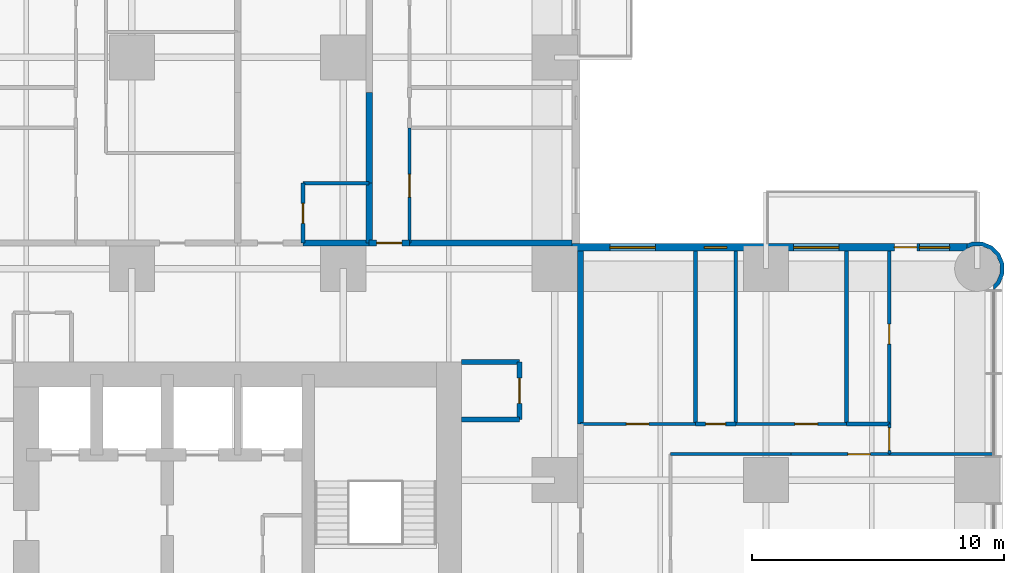
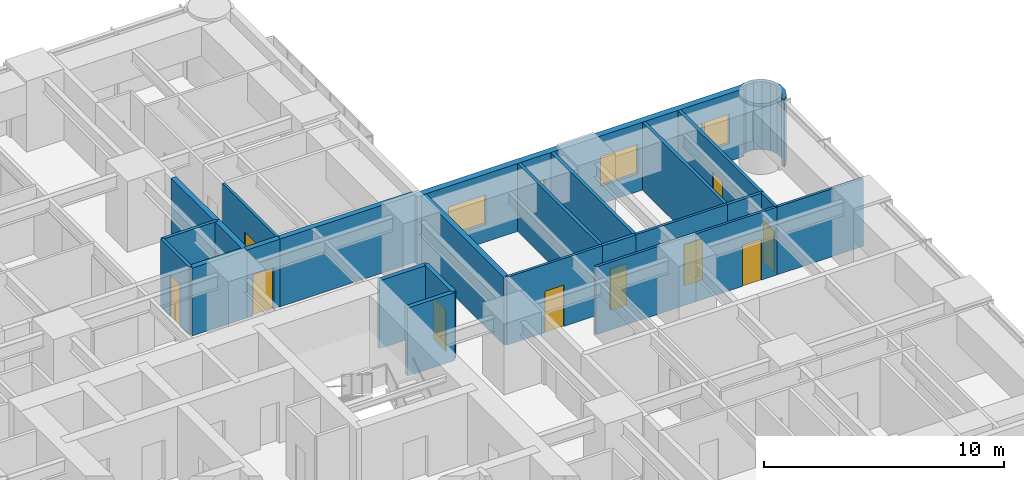
# One storey, part 14 of 17: 26 walls, 11 doors, 4 windows, 15 openings.
"""IFC4 building model written with IfcOpenShell, lengths in metres."""

from ifc_helpers import new_model, si_unit, direction, frame, frame_2d, origin, place, context, subcontext, project, spatial, polyline, rectangle, outline, extrude, material, layer, layer_set, type_object, element, fill, save


model = new_model("IFC4")

# Units and contexts
model_context = context("Model", 3, precision=1e-05, world=origin(), true_north=direction((0.0, 1.0)))
body_context = subcontext(model_context, "Body", "Model", "MODEL_VIEW")
ifc_project = project(units=[si_unit("LENGTHUNIT", "METRE"), si_unit("AREAUNIT", "SQUARE_METRE"), si_unit("VOLUMEUNIT", "CUBIC_METRE"), si_unit("PLANEANGLEUNIT", "RADIAN"), si_unit("MASSUNIT", "GRAM", prefix="KILO")], contexts=[model_context])

# Site, building, storey
site_placement = place(None, origin())
site = spatial("IfcSite", under=ifc_project, at=site_placement, CompositionType="ELEMENT")
building_placement = place(site_placement, origin())
building = spatial("IfcBuilding", under=site, at=building_placement, Name="Torre Alcanfor", CompositionType="ELEMENT")
storey_placement = place(building_placement, frame((0.0, 0.0, 66.89990234375)))
storey = spatial("IfcBuildingStorey", under=building, at=storey_placement, Name="L16", CompositionType="ELEMENT", Elevation=66.89990234375)

# Wall
ifc_material_1 = material(Name="Concrete block masonry, hollow blocks NMX-C-404 9 MPa", Category="masonry")
ifc_layer_1 = layer(ifc_material_1, 0.25)
ifc_layer_set_1 = layer_set([ifc_layer_1], Name="Apartment entrance wall 250 EI 60")
wall_type_1 = type_object("IfcWallType", Name="Apartment entrance wall 250 EI 60", PredefinedType="PARTITIONING", material=ifc_layer_set_1)
wall_1_placement = place(storey_placement, frame((32.0, 43.02490234375, 0.0), z_axis=(0.0, 0.0, 1.0), x_axis=(1.0, 0.0, 0.0)))
element("IfcWall", 1, at=wall_1_placement, inside=storey, type_object=wall_type_1, Name="Partition L16-CORR / L16-N2A-BATH", PredefinedType="PARTITIONING", context=body_context, shape_type="SweptSolid", body=[
    extrude(rectangle(XDim=2.62890625, YDim=0.25, at=frame_2d((1.314453125, 0.0))), origin(), (0.0, 0.0, 1.0), 3.4501953125),
])

# Wall, opening, door
wall_2_placement = place(storey_placement, frame((34.62890625, 43.02490234375, 0.0), z_axis=(0.0, 0.0, 1.0), x_axis=(1.0, 0.0, 0.0)))
wall_2 = element("IfcWall", 2, at=wall_2_placement, inside=storey, type_object=wall_type_1, Name="Partition L16-CORR / L16-N2B-HALL", PredefinedType="PARTITIONING", context=body_context, shape_type="SweptSolid", body=[
    extrude(rectangle(XDim=1.60009765625, YDim=0.25, at=frame_2d((0.800048828125, 0.0))), origin(), (0.0, 0.0, 1.0), 3.4501953125),
])
opening_1_placement = place(wall_2_placement, frame((0.300048828125, 0.0, 0.0)))
opening_1 = element("IfcOpeningElement", 3, at=opening_1_placement, cuts=wall_2, Name="Opening D-A1", PredefinedType="OPENING", context=body_context, shape_type="SweptSolid", body=[
    extrude(rectangle(XDim=1.0, YDim=2.10009765625, at=frame_2d((0.5, 1.050048828125))), frame((0.0, 0.135009765625, 0.0), z_axis=(0.0, -1.0, 0.0), x_axis=(1.0, 0.0, 0.0)), (0.0, 0.0, 1.0), 0.27001953125),
])
ifc_material_2 = material(Name="Galvanised steel sheet ASTM A653", Category="steel")
door_type_1 = type_object("IfcDoorType", Name="Apartment entrance door FD60 1000x2100", OperationType="SINGLE_SWING_LEFT", PredefinedType="DOOR", material=ifc_material_2)
door_1_placement = place(opening_1_placement, origin())
door_1 = element("IfcDoor", 4, at=door_1_placement, inside=storey, type_object=door_type_1, Name="Apartment entrance L16-N2B", OperationType="SINGLE_SWING_LEFT", OverallHeight=2.10009765625, OverallWidth=1.0, PredefinedType="DOOR", context=body_context, shape_type="SweptSolid", body=[
    extrude(rectangle(XDim=1.0, YDim=2.10009765625, at=frame_2d((0.5, 1.050048828125))), frame((0.0, 0.02490234375, 0.0), z_axis=(0.0, -1.0, 0.0), x_axis=(1.0, 0.0, 0.0)), (0.0, 0.0, 1.0), 0.050048828125),
])
fill(opening_1, door_1)

# Walls
wall_3_placement = place(storey_placement, frame((36.22900390625, 43.02490234375, 0.0), z_axis=(0.0, 0.0, 1.0), x_axis=(1.0, 0.0, 0.0)))
element("IfcWall", 5, at=wall_3_placement, inside=storey, type_object=wall_type_1, Name="Partition L16-CORR / L16-N2B-BED2", PredefinedType="PARTITIONING", context=body_context, shape_type="SweptSolid", body=[
    extrude(rectangle(XDim=6.470947265625, YDim=0.25, at=frame_2d((3.2353515625, 0.0))), origin(), (0.0, 0.0, 1.0), 3.4501953125),
])
wall_4_placement = place(storey_placement, frame((43.02490234375, 42.699951171875, 0.0), z_axis=(0.0, 0.0, 1.0), x_axis=(0.0, -1.0, 0.0)))
element("IfcWall", 6, at=wall_4_placement, inside=storey, type_object=wall_type_1, Name="Partition L16-CORR / L16-E1-BED3", PredefinedType="PARTITIONING", context=body_context, shape_type="SweptSolid", body=[
    extrude(rectangle(XDim=6.870849609375, YDim=0.25, at=frame_2d((3.435546875, 0.0))), origin(), (0.0, 0.0, 1.0), 3.4501953125),
])

# Wall, opening, door
ifc_material_3 = material(Name="Gypsum board on steel studs", Category="steel")
ifc_layer_2 = layer(ifc_material_3, 0.1201171875)
ifc_layer_set_2 = layer_set([ifc_layer_2], Name="Apartment partition 120")
wall_type_2 = type_object("IfcWallType", Name="Apartment partition 120", PredefinedType="PARTITIONING", material=ifc_layer_set_2)
wall_5_placement = place(storey_placement, frame((36.22900390625, 47.60009765625, 0.0), z_axis=(0.0, 0.0, 1.0), x_axis=(0.0, -1.0, 0.0)))
wall_5 = element("IfcWall", 7, at=wall_5_placement, inside=storey, type_object=wall_type_2, Name="Partition L16-N2B-HALL / L16-N2B-BED2", PredefinedType="PARTITIONING", context=body_context, shape_type="SweptSolid", body=[
    extrude(rectangle(XDim=4.5751953125, YDim=0.1201171875, at=frame_2d((2.28759765625, 0.0))), origin(), (0.0, 0.0, 1.0), 3.4501953125),
])
opening_2_placement = place(wall_5_placement, frame((1.85009765625, 0.0, 0.0)))
opening_2 = element("IfcOpeningElement", 8, at=opening_2_placement, cuts=wall_5, Name="Opening D-R1", PredefinedType="OPENING", context=body_context, shape_type="SweptSolid", body=[
    extrude(rectangle(XDim=0.89990234375, YDim=2.10009765625, at=frame_2d((0.449951171875, 1.050048828125))), frame((0.0, 0.070068359375, 0.0), z_axis=(0.0, -1.0, 0.0), x_axis=(1.0, 0.0, 0.0)), (0.0, 0.0, 1.0), 0.14013671875),
])
ifc_material_4 = material(Name="Timber", Category="wood")
door_type_2 = type_object("IfcDoorType", Name="Internal door 900x2100", OperationType="SINGLE_SWING_LEFT", PredefinedType="DOOR", material=ifc_material_4)
door_2_placement = place(opening_2_placement, origin())
door_2 = element("IfcDoor", 9, at=door_2_placement, inside=storey, type_object=door_type_2, Name="Door L16-N2B bed2", OperationType="SINGLE_SWING_RIGHT", OverallHeight=2.10009765625, OverallWidth=0.89990234375, PredefinedType="DOOR", context=body_context, shape_type="SweptSolid", body=[
    extrude(rectangle(XDim=0.89990234375, YDim=2.10009765625, at=frame_2d((0.449951171875, 1.050048828125))), frame((0.0, 0.02490234375, 0.0), z_axis=(0.0, -1.0, 0.0), x_axis=(1.0, 0.0, 0.0)), (0.0, 0.0, 1.0), 0.050048828125),
])
fill(opening_2, door_2)

# Wall
wall_6_placement = place(storey_placement, frame((51.39990234375, 34.62890625, 0.0), z_axis=(0.0, 0.0, 1.0), x_axis=(-1.0, 0.0, 0.0)))
element("IfcWall", 10, at=wall_6_placement, inside=storey, type_object=wall_type_2, Name="Partition L16-E1-KITCHEN / L16-E1-HALL", PredefinedType="PARTITIONING", context=body_context, shape_type="SweptSolid", body=[
    extrude(rectangle(XDim=4.7998046875, YDim=0.1201171875, at=frame_2d((2.39990234375, 0.0))), origin(), (0.0, 0.0, 1.0), 3.4501953125),
])

# Wall, opening, door
wall_7_placement = place(storey_placement, frame((55.300048828125, 34.62890625, 0.0), z_axis=(0.0, 0.0, 1.0), x_axis=(-1.0, 0.0, 0.0)))
wall_7 = element("IfcWall", 11, at=wall_7_placement, inside=storey, type_object=wall_type_2, Name="Partition L16-E1-LIVING / L16-E1-HALL", PredefinedType="PARTITIONING", context=body_context, shape_type="SweptSolid", body=[
    extrude(rectangle(XDim=3.900146484375, YDim=0.1201171875, at=frame_2d((1.9501953125, 0.0))), origin(), (0.0, 0.0, 1.0), 3.4501953125),
])
opening_3_placement = place(wall_7_placement, frame((0.75, 0.0, 0.0)))
opening_3 = element("IfcOpeningElement", 12, at=opening_3_placement, cuts=wall_7, Name="Opening D-R1", PredefinedType="OPENING", context=body_context, shape_type="SweptSolid", body=[
    extrude(rectangle(XDim=0.89990234375, YDim=2.10009765625, at=frame_2d((0.449951171875, 1.050048828125))), frame((0.0, 0.070068359375, 0.0), z_axis=(0.0, -1.0, 0.0), x_axis=(1.0, 0.0, 0.0)), (0.0, 0.0, 1.0), 0.14013671875),
])
door_3_placement = place(opening_3_placement, origin())
door_3 = element("IfcDoor", 13, at=door_3_placement, inside=storey, type_object=door_type_2, Name="Door L16-E1 living", OperationType="SINGLE_SWING_RIGHT", OverallHeight=2.10009765625, OverallWidth=0.89990234375, PredefinedType="DOOR", context=body_context, shape_type="SweptSolid", body=[
    extrude(rectangle(XDim=0.89990234375, YDim=2.10009765625, at=frame_2d((0.449951171875, 1.050048828125))), frame((0.0, 0.02490234375, 0.0), z_axis=(0.0, -1.0, 0.0), x_axis=(1.0, 0.0, 0.0)), (0.0, 0.0, 1.0), 0.050048828125),
])
fill(opening_3, door_3)

# Wall
wall_8_placement = place(storey_placement, frame((59.449951171875, 34.62890625, 0.0), z_axis=(0.0, 0.0, 1.0), x_axis=(-1.0, 0.0, 0.0)))
element("IfcWall", 14, at=wall_8_placement, inside=storey, type_object=wall_type_2, Name="Partition L16-E1-LIVING / L16-E1-MASTER", PredefinedType="PARTITIONING", context=body_context, shape_type="SweptSolid", body=[
    extrude(rectangle(XDim=4.14990234375, YDim=0.1201171875, at=frame_2d((2.074951171875, 0.0))), origin(), (0.0, 0.0, 1.0), 3.4501953125),
])

# Wall, opening, door
wall_9_placement = place(storey_placement, frame((47.60009765625, 35.8291015625, 0.0), z_axis=(0.0, 0.0, 1.0), x_axis=(-1.0, 0.0, 0.0)))
wall_9 = element("IfcWall", 15, at=wall_9_placement, inside=storey, type_object=wall_type_2, Name="Partition L16-E1-HALL / L16-E1-BED3", PredefinedType="PARTITIONING", context=body_context, shape_type="SweptSolid", body=[
    extrude(rectangle(XDim=4.5751953125, YDim=0.1201171875, at=frame_2d((2.28759765625, 0.0))), origin(), (0.0, 0.0, 1.0), 3.4501953125),
])
opening_4_placement = place(wall_9_placement, frame((1.85009765625, 0.0, 0.0)))
opening_4 = element("IfcOpeningElement", 16, at=opening_4_placement, cuts=wall_9, Name="Opening D-R1", PredefinedType="OPENING", context=body_context, shape_type="SweptSolid", body=[
    extrude(rectangle(XDim=0.89990234375, YDim=2.10009765625, at=frame_2d((0.449951171875, 1.050048828125))), frame((0.0, 0.070068359375, 0.0), z_axis=(0.0, -1.0, 0.0), x_axis=(1.0, 0.0, 0.0)), (0.0, 0.0, 1.0), 0.14013671875),
])
door_4_placement = place(opening_4_placement, frame((0.89990234375, 0.0, 0.0), z_axis=(0.0, 0.0, 1.0), x_axis=(-1.0, 0.0, 0.0)))
door_4 = element("IfcDoor", 17, at=door_4_placement, inside=storey, type_object=door_type_2, Name="Door L16-E1 bed3", OperationType="SINGLE_SWING_LEFT", OverallHeight=2.10009765625, OverallWidth=0.89990234375, PredefinedType="DOOR", context=body_context, shape_type="SweptSolid", body=[
    extrude(rectangle(XDim=0.89990234375, YDim=2.10009765625, at=frame_2d((0.449951171875, 1.050048828125))), frame((0.0, 0.025146484375, 0.0), z_axis=(0.0, -1.0, 0.0), x_axis=(1.0, 0.0, 0.0)), (0.0, 0.0, 1.0), 0.050048828125),
])
fill(opening_4, door_4)

wall_10_placement = place(storey_placement, frame((53.60009765625, 35.8291015625, 0.0), z_axis=(0.0, 0.0, 1.0), x_axis=(-1.0, 0.0, 0.0)))
wall_10 = element("IfcWall", 18, at=wall_10_placement, inside=storey, type_object=wall_type_2, Name="Partition L16-E1-HALL / L16-E1-BED2", PredefinedType="PARTITIONING", context=body_context, shape_type="SweptSolid", body=[
    extrude(rectangle(XDim=4.400146484375, YDim=0.1201171875, at=frame_2d((2.2001953125, 0.0))), origin(), (0.0, 0.0, 1.0), 3.4501953125),
])
opening_5_placement = place(wall_10_placement, frame((1.14990234375, 0.0, 0.0)))
opening_5 = element("IfcOpeningElement", 19, at=opening_5_placement, cuts=wall_10, Name="Opening D-R1", PredefinedType="OPENING", context=body_context, shape_type="SweptSolid", body=[
    extrude(rectangle(XDim=0.89990234375, YDim=2.10009765625, at=frame_2d((0.449951171875, 1.050048828125))), frame((0.0, 0.070068359375, 0.0), z_axis=(0.0, -1.0, 0.0), x_axis=(1.0, 0.0, 0.0)), (0.0, 0.0, 1.0), 0.14013671875),
])
door_5_placement = place(opening_5_placement, frame((0.89990234375, 0.0, 0.0), z_axis=(0.0, 0.0, 1.0), x_axis=(-1.0, 0.0, 0.0)))
door_5 = element("IfcDoor", 20, at=door_5_placement, inside=storey, type_object=door_type_2, Name="Door L16-E1 bed2", OperationType="SINGLE_SWING_RIGHT", OverallHeight=2.10009765625, OverallWidth=0.89990234375, PredefinedType="DOOR", context=body_context, shape_type="SweptSolid", body=[
    extrude(rectangle(XDim=0.89990234375, YDim=2.10009765625, at=frame_2d((0.449951171875, 1.050048828125))), frame((0.0, 0.025146484375, 0.0), z_axis=(0.0, -1.0, 0.0), x_axis=(1.0, 0.0, 0.0)), (0.0, 0.0, 1.0), 0.050048828125),
])
fill(opening_5, door_5)

wall_11_placement = place(storey_placement, frame((55.300048828125, 34.62890625, 0.0), z_axis=(0.0, 0.0, 1.0), x_axis=(0.0, 1.0, 0.0)))
wall_11 = element("IfcWall", 21, at=wall_11_placement, inside=storey, type_object=wall_type_2, Name="Partition L16-E1-HALL / L16-E1-MASTER", PredefinedType="PARTITIONING", context=body_context, shape_type="SweptSolid", body=[
    extrude(rectangle(XDim=1.2001953125, YDim=0.1201171875, at=frame_2d((0.60009765625, 0.0))), origin(), (0.0, 0.0, 1.0), 3.4501953125),
])
opening_6_placement = place(wall_11_placement, frame((0.15087890625, 0.0, 0.0)))
opening_6 = element("IfcOpeningElement", 22, at=opening_6_placement, cuts=wall_11, Name="Opening D-R1", PredefinedType="OPENING", context=body_context, shape_type="SweptSolid", body=[
    extrude(rectangle(XDim=0.89990234375, YDim=2.10009765625, at=frame_2d((0.449951171875, 1.050048828125))), frame((0.0, 0.070068359375, 0.0), z_axis=(0.0, -1.0, 0.0), x_axis=(1.0, 0.0, 0.0)), (0.0, 0.0, 1.0), 0.14013671875),
])
door_6_placement = place(opening_6_placement, frame((0.89990234375, 0.0, 0.0), z_axis=(0.0, 0.0, 1.0), x_axis=(-1.0, 0.0, 0.0)))
door_6 = element("IfcDoor", 23, at=door_6_placement, inside=storey, type_object=door_type_2, Name="Door L16-E1 master", OperationType="SINGLE_SWING_RIGHT", OverallHeight=2.10009765625, OverallWidth=0.89990234375, PredefinedType="DOOR", context=body_context, shape_type="SweptSolid", body=[
    extrude(rectangle(XDim=0.89990234375, YDim=2.10009765625, at=frame_2d((0.449951171875, 1.050048828125))), frame((0.0, 0.025146484375, 0.0), z_axis=(0.0, -1.0, 0.0), x_axis=(1.0, 0.0, 0.0)), (0.0, 0.0, 1.0), 0.050048828125),
])
fill(opening_6, door_6)

# Wall, openings, door, windows
ifc_material_5 = material(Name="Limestone cladding", Category="masonry")
ifc_layer_3 = layer(ifc_material_5, 0.0400390625, Name="Facing")
ifc_material_6 = material(Name="Ventilated air cavity")
ifc_layer_4 = layer(ifc_material_6, 0.02001953125, ventilated=True, Name="Ventilated joint")
ifc_material_7 = material(Name="Mineral wool insulation", Category="insulation")
ifc_layer_5 = layer(ifc_material_7, 0.10009765625, Name="Insulation")
ifc_material_8 = material(Name="Concrete f'c 35 MPa", Category="concrete")
ifc_layer_6 = layer(ifc_material_8, 0.139892578125, Name="Backing")
ifc_layer_set_3 = layer_set([ifc_layer_3, ifc_layer_4, ifc_layer_5, ifc_layer_6], Name="External wall stone-clad 300")
wall_type_3 = type_object("IfcWallType", Name="External wall stone-clad 300", PredefinedType="SOLIDWALL", material=ifc_layer_set_3)
wall_12_placement = place(storey_placement, frame((58.39990234375, 42.85009765625, 0.0), z_axis=(0.0, 0.0, 1.0), x_axis=(-1.0, 0.0, 0.0)))
wall_12 = element("IfcWall", 24, at=wall_12_placement, inside=storey, type_object=wall_type_3, Name="External wall L16 9", PredefinedType="SOLIDWALL", context=body_context, shape_type="SweptSolid", body=[
    extrude(rectangle(XDim=15.699951171875, YDim=0.300048828125, at=frame_2d((7.85009765625, 0.0))), origin(), (0.0, 0.0, 1.0), 3.4501953125),
])
opening_7_placement = place(wall_12_placement, frame((12.39990234375, 0.0, 0.89990234375)))
opening_7 = element("IfcOpeningElement", 25, at=opening_7_placement, cuts=wall_12, Name="Opening W2", PredefinedType="OPENING", context=body_context, shape_type="SweptSolid", body=[
    extrude(rectangle(XDim=1.800048828125, YDim=1.5, at=frame_2d((0.89990234375, 0.75))), frame((0.0, 0.159912109375, 0.0), z_axis=(0.0, -1.0, 0.0), x_axis=(1.0, 0.0, 0.0)), (0.0, 0.0, 1.0), 0.320068359375),
])
opening_8_placement = place(wall_12_placement, frame((9.550048828125, 0.0, 1.5)))
opening_8 = element("IfcOpeningElement", 26, at=opening_8_placement, cuts=wall_12, Name="Opening W3", PredefinedType="OPENING", context=body_context, shape_type="SweptSolid", body=[
    extrude(rectangle(XDim=0.89990234375, YDim=0.699951171875, at=frame_2d((0.449951171875, 0.35009765625))), frame((0.0, 0.159912109375, 0.0), z_axis=(0.0, -1.0, 0.0), x_axis=(1.0, 0.0, 0.0)), (0.0, 0.0, 1.0), 0.320068359375),
])
opening_9_placement = place(wall_12_placement, frame((5.10009765625, 0.0, 0.89990234375)))
opening_9 = element("IfcOpeningElement", 27, at=opening_9_placement, cuts=wall_12, Name="Opening W2", PredefinedType="OPENING", context=body_context, shape_type="SweptSolid", body=[
    extrude(rectangle(XDim=1.800048828125, YDim=1.5, at=frame_2d((0.89990234375, 0.75))), frame((0.0, 0.159912109375, 0.0), z_axis=(0.0, -1.0, 0.0), x_axis=(1.0, 0.0, 0.0)), (0.0, 0.0, 1.0), 0.320068359375),
])
opening_10_placement = place(wall_12_placement, frame((2.0, 0.0, 0.0)))
opening_10 = element("IfcOpeningElement", 28, at=opening_10_placement, cuts=wall_12, Name="Opening D-B1", PredefinedType="OPENING", context=body_context, shape_type="SweptSolid", body=[
    extrude(rectangle(XDim=0.89990234375, YDim=2.39990234375, at=frame_2d((0.449951171875, 1.199951171875))), frame((0.0, 0.159912109375, 0.0), z_axis=(0.0, -1.0, 0.0), x_axis=(1.0, 0.0, 0.0)), (0.0, 0.0, 1.0), 0.320068359375),
])
opening_11_placement = place(wall_12_placement, frame((0.699951171875, 0.0, 0.89990234375)))
opening_11 = element("IfcOpeningElement", 29, at=opening_11_placement, cuts=wall_12, Name="Opening W4", PredefinedType="OPENING", context=body_context, shape_type="SweptSolid", body=[
    extrude(rectangle(XDim=1.199951171875, YDim=1.5, at=frame_2d((0.60009765625, 0.75))), frame((0.0, 0.159912109375, 0.0), z_axis=(0.0, -1.0, 0.0), x_axis=(1.0, 0.0, 0.0)), (0.0, 0.0, 1.0), 0.320068359375),
])
ifc_material_9 = material(Name="Aluminium and glass", Category="aluminium")
door_type_3 = type_object("IfcDoorType", Name="Balcony door glazed 900x2400", OperationType="SINGLE_SWING_LEFT", PredefinedType="DOOR", material=ifc_material_9)
door_7_placement = place(opening_10_placement, origin())
door_7 = element("IfcDoor", 30, at=door_7_placement, inside=storey, type_object=door_type_3, Name="Balcony door L16-E1", OperationType="SINGLE_SWING_RIGHT", OverallHeight=2.39990234375, OverallWidth=0.89990234375, PredefinedType="DOOR", context=body_context, shape_type="SweptSolid", body=[
    extrude(rectangle(XDim=0.89990234375, YDim=2.39990234375, at=frame_2d((0.449951171875, 1.199951171875))), frame((0.0, 0.02490234375, 0.0), z_axis=(0.0, -1.0, 0.0), x_axis=(1.0, 0.0, 0.0)), (0.0, 0.0, 1.0), 0.050048828125),
])
fill(opening_10, door_7)
ifc_material_10 = material(Name="Aluminium frame with clear double glazing", Category="aluminium")
window_type_1 = type_object("IfcWindowType", Name="Window bathroom 900x700", PartitioningType="SINGLE_PANEL", PredefinedType="WINDOW", material=ifc_material_10)
window_1_placement = place(opening_8_placement, origin())
window_1 = element("IfcWindow", 31, at=window_1_placement, inside=storey, type_object=window_type_1, Name="Window W3 L16-E1", OverallHeight=0.699951171875, OverallWidth=0.89990234375, PartitioningType="SINGLE_PANEL", PredefinedType="WINDOW", context=body_context, shape_type="SweptSolid", body=[
    extrude(rectangle(XDim=0.89990234375, YDim=0.699951171875, at=frame_2d((0.449951171875, 0.35009765625))), frame((0.0, 0.030029296875, 0.0), z_axis=(0.0, -1.0, 0.0), x_axis=(1.0, 0.0, 0.0)), (0.0, 0.0, 1.0), 0.06005859375),
])
fill(opening_8, window_1)
ifc_material_11 = material(Name="Aluminium frame with clear double glazing", Category="aluminium")
window_type_2 = type_object("IfcWindowType", Name="Window bedroom 1200x1500", PartitioningType="SINGLE_PANEL", PredefinedType="WINDOW", material=ifc_material_11)
window_2_placement = place(opening_11_placement, origin())
window_2 = element("IfcWindow", 32, at=window_2_placement, inside=storey, type_object=window_type_2, Name="Window W4 L16-E1", OverallHeight=1.5, OverallWidth=1.199951171875, PartitioningType="SINGLE_PANEL", PredefinedType="WINDOW", context=body_context, shape_type="SweptSolid", body=[
    extrude(rectangle(XDim=1.199951171875, YDim=1.5, at=frame_2d((0.60009765625, 0.75))), frame((0.0, 0.030029296875, 0.0), z_axis=(0.0, -1.0, 0.0), x_axis=(1.0, 0.0, 0.0)), (0.0, 0.0, 1.0), 0.06005859375),
])
fill(opening_11, window_2)
ifc_material_12 = material(Name="Aluminium frame with clear double glazing", Category="aluminium")
window_type_3 = type_object("IfcWindowType", Name="Window bedroom 1800x1500", PartitioningType="SINGLE_PANEL", PredefinedType="WINDOW", material=ifc_material_12)
window_3_placement = place(opening_7_placement, origin())
window_3 = element("IfcWindow", 33, at=window_3_placement, inside=storey, type_object=window_type_3, Name="Window W2 L16-E1", OverallHeight=1.5, OverallWidth=1.800048828125, PartitioningType="SINGLE_PANEL", PredefinedType="WINDOW", context=body_context, shape_type="SweptSolid", body=[
    extrude(rectangle(XDim=1.800048828125, YDim=1.5, at=frame_2d((0.89990234375, 0.75))), frame((0.0, 0.030029296875, 0.0), z_axis=(0.0, -1.0, 0.0), x_axis=(1.0, 0.0, 0.0)), (0.0, 0.0, 1.0), 0.06005859375),
])
fill(opening_7, window_3)
window_4_placement = place(opening_9_placement, origin())
window_4 = element("IfcWindow", 34, at=window_4_placement, inside=storey, type_object=window_type_3, Name="Window W2 L16-E1", OverallHeight=1.5, OverallWidth=1.800048828125, PartitioningType="SINGLE_PANEL", PredefinedType="WINDOW", context=body_context, shape_type="SweptSolid", body=[
    extrude(rectangle(XDim=1.800048828125, YDim=1.5, at=frame_2d((0.89990234375, 0.75))), frame((0.0, 0.030029296875, 0.0), z_axis=(0.0, -1.0, 0.0), x_axis=(1.0, 0.0, 0.0)), (0.0, 0.0, 1.0), 0.06005859375),
])
fill(opening_9, window_4)

# Walls
ifc_material_13 = material(Name="Concrete block masonry, hollow blocks NMX-C-404 9 MPa", Category="masonry")
ifc_layer_7 = layer(ifc_material_13, 0.25)
ifc_layer_set_4 = layer_set([ifc_layer_7], Name="Party wall 250 EI 60")
wall_type_4 = type_object("IfcWallType", Name="Party wall 250 EI 60", PredefinedType="PARTITIONING", material=ifc_layer_set_4)
wall_13_placement = place(storey_placement, frame((34.62890625, 45.39990234375, 0.0), z_axis=(0.0, 0.0, 1.0), x_axis=(0.0, -1.0, 0.0)))
element("IfcWall", 35, at=wall_13_placement, inside=storey, type_object=wall_type_4, Name="Partition L16-N2A-BATH / L16-N2B-HALL", PredefinedType="PARTITIONING", context=body_context, shape_type="SweptSolid", body=[
    extrude(rectangle(XDim=2.375, YDim=0.25, at=frame_2d((1.1875, 0.0))), origin(), (0.0, 0.0, 1.0), 3.4501953125),
])
wall_14_placement = place(storey_placement, frame((34.62890625, 49.0, 0.0), z_axis=(0.0, 0.0, 1.0), x_axis=(0.0, -1.0, 0.0)))
element("IfcWall", 36, at=wall_14_placement, inside=storey, type_object=wall_type_4, Name="Partition L16-N2A-KITCHEN / L16-N2B-HALL", PredefinedType="PARTITIONING", context=body_context, shape_type="SweptSolid", body=[
    extrude(rectangle(XDim=3.60009765625, YDim=0.25, at=frame_2d((1.800048828125, 0.0))), origin(), (0.0, 0.0, 1.0), 3.4501953125),
])
ifc_material_14 = material(Name="Concrete block masonry, hollow blocks NMX-C-404 9 MPa", Category="masonry")
ifc_layer_8 = layer(ifc_material_14, 0.199951171875)
ifc_layer_set_5 = layer_set([ifc_layer_8], Name="Plant room wall 200 EI 60")
wall_type_5 = type_object("IfcWallType", Name="Plant room wall 200 EI 60", PredefinedType="PARTITIONING", material=ifc_layer_set_5)
wall_15_placement = place(storey_placement, frame((38.300048828125, 36.0, 0.0), z_axis=(0.0, 0.0, 1.0), x_axis=(1.0, 0.0, 0.0)))
element("IfcWall", 37, at=wall_15_placement, inside=storey, type_object=wall_type_5, Name="Partition L16-CORR / L16-G03", PredefinedType="PARTITIONING", context=body_context, shape_type="SweptSolid", body=[
    extrude(rectangle(XDim=2.300048828125, YDim=0.199951171875, at=frame_2d((1.14990234375, 0.0))), origin(), (0.0, 0.0, 1.0), 3.4501953125),
])

# Wall, opening, door
wall_16_placement = place(storey_placement, frame((40.60009765625, 36.0, 0.0), z_axis=(0.0, 0.0, 1.0), x_axis=(0.0, 1.0, 0.0)))
wall_16 = element("IfcWall", 38, at=wall_16_placement, inside=storey, type_object=wall_type_5, Name="Partition L16-CORR / L16-G03", PredefinedType="PARTITIONING", context=body_context, shape_type="SweptSolid", body=[
    extrude(rectangle(XDim=2.300048828125, YDim=0.199951171875, at=frame_2d((1.14990234375, 0.0))), origin(), (0.0, 0.0, 1.0), 3.4501953125),
])
opening_12_placement = place(wall_16_placement, frame((0.64990234375, 0.0, 0.0)))
opening_12 = element("IfcOpeningElement", 39, at=opening_12_placement, cuts=wall_16, Name="Opening D-K1", PredefinedType="OPENING", context=body_context, shape_type="SweptSolid", body=[
    extrude(rectangle(XDim=1.0, YDim=2.10009765625, at=frame_2d((0.5, 1.050048828125))), frame((0.0, 0.10986328125, 0.0), z_axis=(0.0, -1.0, 0.0), x_axis=(1.0, 0.0, 0.0)), (0.0, 0.0, 1.0), 0.219970703125),
])
ifc_material_15 = material(Name="Galvanised steel sheet ASTM A653", Category="steel")
door_type_4 = type_object("IfcDoorType", Name="Core room door FD60 1000x2100", OperationType="SINGLE_SWING_LEFT", PredefinedType="DOOR", material=ifc_material_15)
door_8_placement = place(opening_12_placement, origin())
door_8 = element("IfcDoor", 40, at=door_8_placement, inside=storey, type_object=door_type_4, Name="Door L16-G03 refuse and recycling store", OperationType="SINGLE_SWING_LEFT", OverallHeight=2.10009765625, OverallWidth=1.0, PredefinedType="DOOR", context=body_context, shape_type="SweptSolid", body=[
    extrude(rectangle(XDim=1.0, YDim=2.10009765625, at=frame_2d((0.5, 1.050048828125))), frame((0.0, 0.02490234375, 0.0), z_axis=(0.0, -1.0, 0.0), x_axis=(1.0, 0.0, 0.0)), (0.0, 0.0, 1.0), 0.050048828125),
])
fill(opening_12, door_8)

# Walls
wall_17_placement = place(storey_placement, frame((40.60009765625, 38.300048828125, 0.0), z_axis=(0.0, 0.0, 1.0), x_axis=(-1.0, 0.0, 0.0)))
element("IfcWall", 41, at=wall_17_placement, inside=storey, type_object=wall_type_5, Name="Partition L16-CORR / L16-G03", PredefinedType="PARTITIONING", context=body_context, shape_type="SweptSolid", body=[
    extrude(rectangle(XDim=2.300048828125, YDim=0.199951171875, at=frame_2d((1.14990234375, 0.0))), origin(), (0.0, 0.0, 1.0), 3.4501953125),
])
ifc_layer_9 = layer(ifc_material_5, 0.0400390625, Name="Facing")
ifc_layer_10 = layer(ifc_material_6, 0.02001953125, ventilated=True, Name="Ventilated joint")
ifc_layer_11 = layer(ifc_material_7, 0.10009765625, Name="Insulation")
ifc_layer_12 = layer(ifc_material_8, 0.139892578125, Name="Backing")
ifc_layer_set_6 = layer_set([ifc_layer_9, ifc_layer_10, ifc_layer_11, ifc_layer_12], Name="Rounded corner pier stone-clad 300")
wall_type_6 = type_object("IfcWallType", Name="Rounded corner pier stone-clad 300", PredefinedType="SOLIDWALL", material=ifc_layer_set_6)
wall_18_placement = place(storey_placement, frame((59.410519256, 41.23340608, 0.0), z_axis=(0.0, 0.0, 1.0), x_axis=(0.926129809145, 0.377204953059, 0.0)))
element("IfcWall", 42, at=wall_18_placement, inside=storey, type_object=wall_type_6, Name="Corner pier L16 18", PredefinedType="SOLIDWALL", context=body_context, shape_type="SweptSolid", body=[
    extrude(outline(polyline([(0.6260654471319579, 0.34524919711057256), (0.7850146045978224, 0.7355079985228963), (0.7823098124660501, 1.1573373086599013), (0.6187697625812524, 1.546081906916958), (0.31877691555394516, 1.8425152342918512), (-0.07170799176881437, 2.0015564828107086), (-0.24004949470661174, 2.000526523212158), (-0.2695944713928893, 2.0173049949130335), (-0.36998902843916337, 1.8407134525266757), (-0.10235758996356603, 1.8421635923174307), (0.22956588655630128, 1.7069739265237522), (0.4845024203782949, 1.4552530429107593), (0.6236098424040335, 1.1249645948716174), (0.6257138051575375, 0.7663837026280839), (0.49052413936385914, 0.43446022610821644), (0.23848505878743742, 0.1793896774287799), (0.09020527382959523, 0.11693875386038477), (0.010914877202648991, -0.0777384350249053), (0.02448123182880161, -0.08326389820448342), (0.32940601384662893, 0.045348441136258355), (0.47997135267738844, 0.19755163478368112), (0.49907282709518125, 0.19267151555903828), (0.5076193949673722, 0.22530566424262682), (0.6260654471319579, 0.34524919711057256)])), origin(), (0.0, 0.0, 1.0), 3.4501953125),
])

# Wall, opening, door
ifc_material_16 = material(Name="Cement board on steel studs", Category="steel")
ifc_layer_13 = layer(ifc_material_16, 0.14990234375)
ifc_layer_set_7 = layer_set([ifc_layer_13], Name="Wet area partition 150")
wall_type_7 = type_object("IfcWallType", Name="Wet area partition 150", PredefinedType="PARTITIONING", material=ifc_layer_set_7)
wall_19_placement = place(storey_placement, frame((32.0, 45.39990234375, 0.0), z_axis=(0.0, 0.0, 1.0), x_axis=(0.0, -1.0, 0.0)))
wall_19 = element("IfcWall", 43, at=wall_19_placement, inside=storey, type_object=wall_type_7, Name="Partition L16-N2A-FOYER / L16-N2A-BATH", PredefinedType="PARTITIONING", context=body_context, shape_type="SweptSolid", body=[
    extrude(rectangle(XDim=2.375, YDim=0.14990234375, at=frame_2d((1.1875, 0.0))), origin(), (0.0, 0.0, 1.0), 3.4501953125),
])
opening_13_placement = place(wall_19_placement, frame((0.800048828125, 0.0, 0.0)))
opening_13 = element("IfcOpeningElement", 44, at=opening_13_placement, cuts=wall_19, Name="Opening D-R2", PredefinedType="OPENING", context=body_context, shape_type="SweptSolid", body=[
    extrude(rectangle(XDim=0.800048828125, YDim=2.10009765625, at=frame_2d((0.39990234375, 1.050048828125))), frame((0.0, 0.0849609375, 0.0), z_axis=(0.0, -1.0, 0.0), x_axis=(1.0, 0.0, 0.0)), (0.0, 0.0, 1.0), 0.169921875),
])
ifc_material_17 = material(Name="Timber", Category="wood")
door_type_5 = type_object("IfcDoorType", Name="Bathroom door 800x2100", OperationType="SINGLE_SWING_LEFT", PredefinedType="DOOR", material=ifc_material_17)
door_9_placement = place(opening_13_placement, origin())
door_9 = element("IfcDoor", 45, at=door_9_placement, inside=storey, type_object=door_type_5, Name="Door L16-N2A bath", OperationType="SINGLE_SWING_RIGHT", OverallHeight=2.10009765625, OverallWidth=0.800048828125, PredefinedType="DOOR", context=body_context, shape_type="SweptSolid", body=[
    extrude(rectangle(XDim=0.800048828125, YDim=2.10009765625, at=frame_2d((0.39990234375, 1.050048828125))), frame((0.0, 0.02490234375, 0.0), z_axis=(0.0, -1.0, 0.0), x_axis=(1.0, 0.0, 0.0)), (0.0, 0.0, 1.0), 0.050048828125),
])
fill(opening_13, door_9)

# Wall
wall_20_placement = place(storey_placement, frame((32.0, 45.39990234375, 0.0), z_axis=(0.0, 0.0, 1.0), x_axis=(1.0, 0.0, 0.0)))
element("IfcWall", 46, at=wall_20_placement, inside=storey, type_object=wall_type_7, Name="Partition L16-N2A-BATH / L16-N2A-KITCHEN", PredefinedType="PARTITIONING", context=body_context, shape_type="SweptSolid", body=[
    extrude(rectangle(XDim=2.62890625, YDim=0.14990234375, at=frame_2d((1.314453125, 0.0))), origin(), (0.0, 0.0, 1.0), 3.4501953125),
])

# Wall, opening, door
wall_21_placement = place(storey_placement, frame((49.199951171875, 35.8291015625, 0.0), z_axis=(0.0, 0.0, 1.0), x_axis=(-1.0, 0.0, 0.0)))
wall_21 = element("IfcWall", 47, at=wall_21_placement, inside=storey, type_object=wall_type_7, Name="Partition L16-E1-HALL / L16-E1-BATH1", PredefinedType="PARTITIONING", context=body_context, shape_type="SweptSolid", body=[
    extrude(rectangle(XDim=1.599853515625, YDim=0.14990234375, at=frame_2d((0.7998046875, 0.0))), origin(), (0.0, 0.0, 1.0), 3.4501953125),
])
opening_14_placement = place(wall_21_placement, frame((0.39990234375, 0.0, 0.0)))
opening_14 = element("IfcOpeningElement", 48, at=opening_14_placement, cuts=wall_21, Name="Opening D-R2", PredefinedType="OPENING", context=body_context, shape_type="SweptSolid", body=[
    extrude(rectangle(XDim=0.800048828125, YDim=2.10009765625, at=frame_2d((0.39990234375, 1.050048828125))), frame((0.0, 0.0849609375, 0.0), z_axis=(0.0, -1.0, 0.0), x_axis=(1.0, 0.0, 0.0)), (0.0, 0.0, 1.0), 0.169921875),
])
door_10_placement = place(opening_14_placement, frame((0.800048828125, 0.0, 0.0), z_axis=(0.0, 0.0, 1.0), x_axis=(-1.0, 0.0, 0.0)))
door_10 = element("IfcDoor", 49, at=door_10_placement, inside=storey, type_object=door_type_5, Name="Door L16-E1 bath1", OperationType="SINGLE_SWING_RIGHT", OverallHeight=2.10009765625, OverallWidth=0.800048828125, PredefinedType="DOOR", context=body_context, shape_type="SweptSolid", body=[
    extrude(rectangle(XDim=0.800048828125, YDim=2.10009765625, at=frame_2d((0.400146484375, 1.050048828125))), frame((0.0, 0.025146484375, 0.0), z_axis=(0.0, -1.0, 0.0), x_axis=(1.0, 0.0, 0.0)), (0.0, 0.0, 1.0), 0.050048828125),
])
fill(opening_14, door_10)

# Walls
wall_22_placement = place(storey_placement, frame((55.300048828125, 35.8291015625, 0.0), z_axis=(0.0, 0.0, 1.0), x_axis=(-1.0, 0.0, 0.0)))
element("IfcWall", 50, at=wall_22_placement, inside=storey, type_object=wall_type_7, Name="Partition L16-E1-HALL / L16-E1-ENSBATH", PredefinedType="PARTITIONING", context=body_context, shape_type="SweptSolid", body=[
    extrude(rectangle(XDim=1.699951171875, YDim=0.14990234375, at=frame_2d((0.85009765625, 0.0))), origin(), (0.0, 0.0, 1.0), 3.4501953125),
])
for number, where, z_axis, x_axis, name in (
    (51, (47.60009765625, 35.8291015625, 0.0), (0.0, 0.0, 1.0), (0.0, 1.0, 0.0), "Partition L16-E1-BED3 / L16-E1-BATH1"),
    (52, (49.199951171875, 35.8291015625, 0.0), (0.0, 0.0, 1.0), (0.0, 1.0, 0.0), "Partition L16-E1-BATH1 / L16-E1-BED2"),
    (53, (53.60009765625, 35.8291015625, 0.0), (0.0, 0.0, 1.0), (0.0, 1.0, 0.0), "Partition L16-E1-BED2 / L16-E1-ENSBATH"),
):
    element("IfcWall", number, at=place(storey_placement, frame(where, z_axis=z_axis, x_axis=x_axis)), inside=storey, type_object=wall_type_7, Name=name, PredefinedType="PARTITIONING", context=body_context, shape_type="SweptSolid", body=[
        extrude(rectangle(XDim=6.870849609375, YDim=0.14990234375, at=frame_2d((3.435546875, 0.0))), origin(), (0.0, 0.0, 1.0), 3.4501953125),
    ])

# Wall, opening, door
wall_23_placement = place(storey_placement, frame((55.300048828125, 35.8291015625, 0.0), z_axis=(0.0, 0.0, 1.0), x_axis=(0.0, 1.0, 0.0)))
wall_23 = element("IfcWall", 54, at=wall_23_placement, inside=storey, type_object=wall_type_7, Name="Partition L16-E1-ENSBATH / L16-E1-MASTER", PredefinedType="PARTITIONING", context=body_context, shape_type="SweptSolid", body=[
    extrude(rectangle(XDim=6.870849609375, YDim=0.14990234375, at=frame_2d((3.435546875, 0.0))), origin(), (0.0, 0.0, 1.0), 3.4501953125),
])
opening_15_placement = place(wall_23_placement, frame((3.1708984375, 0.0, 0.0)))
opening_15 = element("IfcOpeningElement", 55, at=opening_15_placement, cuts=wall_23, Name="Opening D-R2", PredefinedType="OPENING", context=body_context, shape_type="SweptSolid", body=[
    extrude(rectangle(XDim=0.800048828125, YDim=2.10009765625, at=frame_2d((0.39990234375, 1.050048828125))), frame((0.0, 0.0849609375, 0.0), z_axis=(0.0, -1.0, 0.0), x_axis=(1.0, 0.0, 0.0)), (0.0, 0.0, 1.0), 0.169921875),
])
door_11_placement = place(opening_15_placement, origin())
door_11 = element("IfcDoor", 56, at=door_11_placement, inside=storey, type_object=door_type_5, Name="Door L16-E1 ensbath", OperationType="SINGLE_SWING_RIGHT", OverallHeight=2.10009765625, OverallWidth=0.800048828125, PredefinedType="DOOR", context=body_context, shape_type="SweptSolid", body=[
    extrude(rectangle(XDim=0.800048828125, YDim=2.10009765625, at=frame_2d((0.39990234375, 1.050048828125))), frame((0.0, 0.02490234375, 0.0), z_axis=(0.0, -1.0, 0.0), x_axis=(1.0, 0.0, 0.0)), (0.0, 0.0, 1.0), 0.050048828125),
])
fill(opening_15, door_11)

save(model, "model.ifc")
